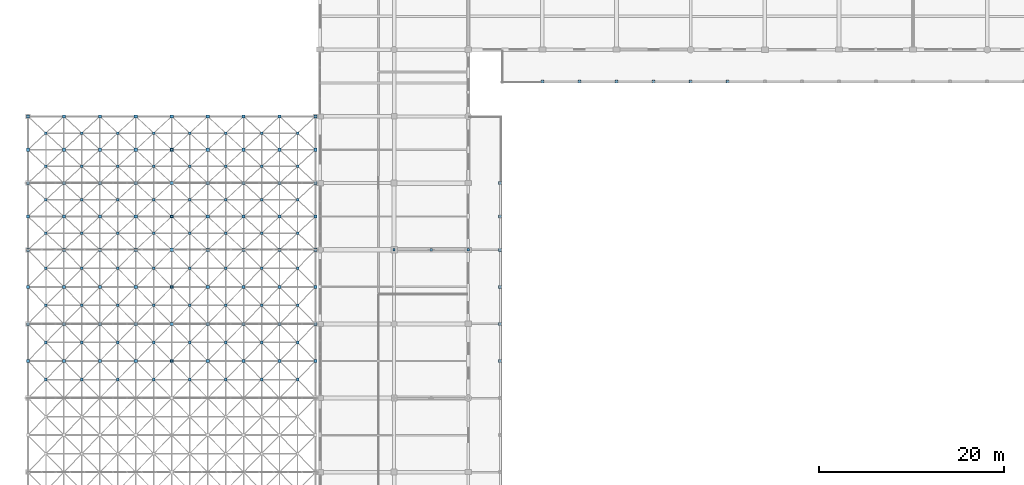
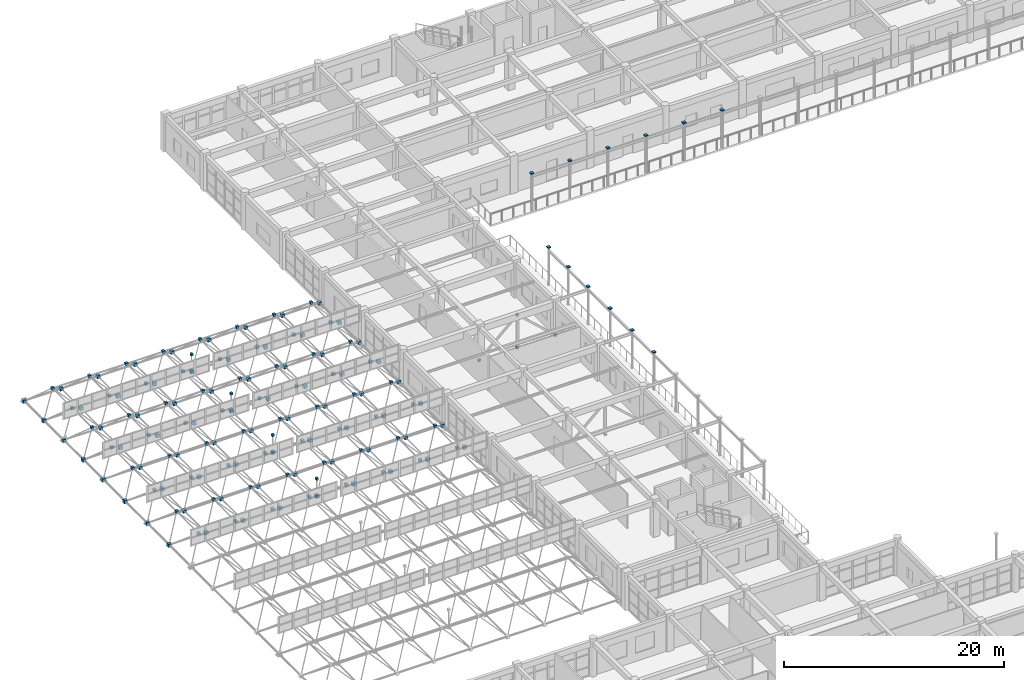
# One storey, part 179 of 195: 160 discrete accessories.
"""IFC4 building model written with IfcOpenShell, lengths in metres."""

from ifc_helpers import new_model, si_unit, direction, frame, origin, origin_2d, place, context, subcontext, project, spatial, rectangle, extrude, material, type_object, element, save


model = new_model("IFC4")

# Units and contexts
model_context = context("Model", 3, precision=1e-05, world=origin(), true_north=direction((0.0, 1.0)))
body_context = subcontext(model_context, "Body", "Model", "MODEL_VIEW")
ifc_project = project(units=[si_unit("LENGTHUNIT", "METRE"), si_unit("AREAUNIT", "SQUARE_METRE"), si_unit("VOLUMEUNIT", "CUBIC_METRE"), si_unit("PLANEANGLEUNIT", "RADIAN"), si_unit("MASSUNIT", "GRAM", prefix="KILO")], contexts=[model_context])

# Site, building, storey
site_placement = place(None, origin())
site = spatial("IfcSite", under=ifc_project, at=site_placement, CompositionType="ELEMENT")
building_placement = place(site_placement, origin())
building = spatial("IfcBuilding", under=site, at=building_placement, Name="Kharva Crest Polytechnic", CompositionType="ELEMENT")
storey_placement = place(building_placement, frame((0.0, 0.0, 9.0)))
storey = spatial("IfcBuildingStorey", under=building, at=storey_placement, Name="L02", CompositionType="ELEMENT", Elevation=9.0)

# Discrete accessories
ifc_material = material(Name="Steel S355", Category="steel")
discrete_accessory_type_1 = type_object("IfcDiscreteAccessoryType", Name="ACC-SHOE-BF240", PredefinedType="SHOE", material=ifc_material)
for number, where, z_axis, x_axis, name in (
    (1, (16.0, 66.800048828125, 0.47998046875), (0.0, 0.0, 1.0), (1.0, 0.0, 0.0), "Space Frame Ridge Strut BOT Shoe 7"),
    (2, (16.0, 66.800048828125, 2.39208984375), (0.0, 0.0, 1.0), (1.0, 0.0, 0.0), "Space Frame Ridge Strut TOP Shoe 7"),
    (3, (16.0, 74.800048828125, 0.47998046875), (0.0, 0.0, 1.0), (1.0, 0.0, 0.0), "Space Frame Ridge Strut BOT Shoe 9"),
    (4, (16.0, 74.800048828125, 2.39208984375), (0.0, 0.0, 1.0), (1.0, 0.0, 0.0), "Space Frame Ridge Strut TOP Shoe 9"),
    (5, (16.0, 82.39990234375, 0.47998046875), (0.0, 0.0, 1.0), (1.0, 0.0, 0.0), "Space Frame Ridge Strut BOT Shoe 11"),
    (6, (16.0, 82.39990234375, 2.39208984375), (0.0, 0.0, 1.0), (1.0, 0.0, 0.0), "Space Frame Ridge Strut TOP Shoe 11"),
    (7, (16.0, 89.60009765625, 0.47998046875), (0.0, 0.0, 1.0), (1.0, 0.0, 0.0), "Space Frame Ridge Strut BOT Shoe 13"),
    (8, (16.0, 89.60009765625, 2.39208984375), (0.0, 0.0, 1.0), (1.0, 0.0, 0.0), "Space Frame Ridge Strut TOP Shoe 13"),
    (9, (40.0, 78.800048828125, -0.1201171875), (0.0, 0.0, 1.0), (1.0, 0.0, 0.0), "L02 Brace Foot Shoe 6A"),
    (10, (48.0, 78.800048828125, -0.1201171875), (0.0, 0.0, 1.0), (1.0, 0.0, 0.0), "L02 Brace Foot Shoe 6B"),
    (11, (44.0, 78.800048828125, 3.52978515625), (0.0, 0.0, 1.0), (1.0, 0.0, 0.0), "L02 Brace TOP Shoe 6"),
    (12, (44.0, 78.800048828125, -0.1201171875), (0.0, 0.0, 1.0), (1.0, 0.0, 0.0), "L02 Brace BOT Shoe 6"),
):
    element("IfcDiscreteAccessory", number, at=place(storey_placement, frame(where, z_axis=z_axis, x_axis=x_axis)), inside=storey, type_object=discrete_accessory_type_1, Name=name, PredefinedType="SHOE", context=body_context, shape_type="SweptSolid", body=[
        extrude(rectangle(XDim=0.239990234375, YDim=0.239990234375, at=origin_2d()), origin(), (0.0, 0.0, 1.0), 0.239990234375),
    ])
discrete_accessory_type_2 = type_object("IfcDiscreteAccessoryType", Name="ACC-SHOE-COL320", PredefinedType="SHOE", material=ifc_material)
for number, where, z_axis, x_axis, name in (
    (13, (51.449951171875, 70.800048828125, 4.139892578125), (0.0, 0.0, 1.0), (1.0, 0.0, 0.0), "L02 Colonnade Cap Shoe VW04"),
    (14, (51.449951171875, 78.800048828125, 4.139892578125), (0.0, 0.0, 1.0), (1.0, 0.0, 0.0), "L02 Colonnade Cap Shoe VW05"),
    (15, (51.449951171875, 86.0, 4.139892578125), (0.0, 0.0, 1.0), (1.0, 0.0, 0.0), "L02 Colonnade Cap Shoe VW06"),
    (16, (56.0, 96.949951171875, 4.139892578125), (0.0, 0.0, 1.0), (1.0, 0.0, 0.0), "L02 Colonnade Cap Shoe VN01"),
    (17, (64.0, 96.949951171875, 4.139892578125), (0.0, 0.0, 1.0), (1.0, 0.0, 0.0), "L02 Colonnade Cap Shoe VN02"),
    (18, (72.0, 96.949951171875, 4.139892578125), (0.0, 0.0, 1.0), (1.0, 0.0, 0.0), "L02 Colonnade Cap Shoe VN03"),
    (19, (51.449951171875, 66.800048828125, 4.139892578125), (0.0, 0.0, 1.0), (1.0, 0.0, 0.0), "L02 Colonnade Mid Cap Shoe VWM03"),
    (20, (51.449951171875, 74.800048828125, 4.139892578125), (0.0, 0.0, 1.0), (1.0, 0.0, 0.0), "L02 Colonnade Mid Cap Shoe VWM04"),
    (21, (51.449951171875, 82.39990234375, 4.139892578125), (0.0, 0.0, 1.0), (1.0, 0.0, 0.0), "L02 Colonnade Mid Cap Shoe VWM05"),
    (22, (60.0, 96.949951171875, 4.139892578125), (0.0, 0.0, 1.0), (1.0, 0.0, 0.0), "L02 Colonnade Mid Cap Shoe VNM01"),
    (23, (68.0, 96.949951171875, 4.139892578125), (0.0, 0.0, 1.0), (1.0, 0.0, 0.0), "L02 Colonnade Mid Cap Shoe VNM02"),
    (24, (76.0, 96.949951171875, 4.139892578125), (0.0, 0.0, 1.0), (1.0, 0.0, 0.0), "L02 Colonnade Mid Cap Shoe VNM03"),
):
    element("IfcDiscreteAccessory", number, at=place(storey_placement, frame(where, z_axis=z_axis, x_axis=x_axis)), inside=storey, type_object=discrete_accessory_type_2, Name=name, PredefinedType="SHOE", context=body_context, shape_type="SweptSolid", body=[
        extrude(rectangle(XDim=0.320068359375, YDim=0.320068359375, at=origin_2d()), origin(), (0.0, 0.0, 1.0), 0.1201171875),
    ])
discrete_accessory_type_3 = type_object("IfcDiscreteAccessoryType", Name="ACC-SHOE-SF280", PredefinedType="SHOE", material=ifc_material)
for number, where, z_axis, x_axis, name in (
    (25, (2.419921875, 64.800048828125, 2.259765625), (0.0, 0.0, 1.0), (1.0, 0.0, 0.0), "Space Frame Top Node Shoe 142"),
    (26, (2.419921875, 68.800048828125, 2.259765625), (0.0, 0.0, 1.0), (1.0, 0.0, 0.0), "Space Frame Top Node Shoe 143"),
    (27, (2.419921875, 72.800048828125, 2.259765625), (0.0, 0.0, 1.0), (1.0, 0.0, 0.0), "Space Frame Top Node Shoe 144"),
    (28, (2.419921875, 76.800048828125, 2.259765625), (0.0, 0.0, 1.0), (1.0, 0.0, 0.0), "Space Frame Top Node Shoe 145"),
    (29, (2.419921875, 80.60009765625, 2.259765625), (0.0, 0.0, 1.0), (1.0, 0.0, 0.0), "Space Frame Top Node Shoe 146"),
    (30, (2.419921875, 84.199951171875, 2.259765625), (0.0, 0.0, 1.0), (1.0, 0.0, 0.0), "Space Frame Top Node Shoe 147"),
    (31, (2.419921875, 87.800048828125, 2.259765625), (0.0, 0.0, 1.0), (1.0, 0.0, 0.0), "Space Frame Top Node Shoe 148"),
    (32, (2.419921875, 91.39990234375, 2.259765625), (0.0, 0.0, 1.0), (1.0, 0.0, 0.0), "Space Frame Top Node Shoe 149"),
    (33, (6.300048828125, 64.800048828125, 2.259765625), (0.0, 0.0, 1.0), (1.0, 0.0, 0.0), "Space Frame Top Node Shoe 156"),
    (34, (6.300048828125, 68.800048828125, 2.259765625), (0.0, 0.0, 1.0), (1.0, 0.0, 0.0), "Space Frame Top Node Shoe 157"),
    (35, (6.300048828125, 72.800048828125, 2.259765625), (0.0, 0.0, 1.0), (1.0, 0.0, 0.0), "Space Frame Top Node Shoe 158"),
    (36, (6.300048828125, 76.800048828125, 2.259765625), (0.0, 0.0, 1.0), (1.0, 0.0, 0.0), "Space Frame Top Node Shoe 159"),
    (37, (6.300048828125, 80.60009765625, 2.259765625), (0.0, 0.0, 1.0), (1.0, 0.0, 0.0), "Space Frame Top Node Shoe 160"),
    (38, (6.300048828125, 84.199951171875, 2.259765625), (0.0, 0.0, 1.0), (1.0, 0.0, 0.0), "Space Frame Top Node Shoe 161"),
    (39, (6.300048828125, 87.800048828125, 2.259765625), (0.0, 0.0, 1.0), (1.0, 0.0, 0.0), "Space Frame Top Node Shoe 162"),
    (40, (6.300048828125, 91.39990234375, 2.259765625), (0.0, 0.0, 1.0), (1.0, 0.0, 0.0), "Space Frame Top Node Shoe 163"),
    (41, (10.179931640625, 64.800048828125, 2.259765625), (0.0, 0.0, 1.0), (1.0, 0.0, 0.0), "Space Frame Top Node Shoe 170"),
    (42, (10.179931640625, 68.800048828125, 2.259765625), (0.0, 0.0, 1.0), (1.0, 0.0, 0.0), "Space Frame Top Node Shoe 171"),
    (43, (10.179931640625, 72.800048828125, 2.259765625), (0.0, 0.0, 1.0), (1.0, 0.0, 0.0), "Space Frame Top Node Shoe 172"),
    (44, (10.179931640625, 76.800048828125, 2.259765625), (0.0, 0.0, 1.0), (1.0, 0.0, 0.0), "Space Frame Top Node Shoe 173"),
    (45, (10.179931640625, 80.60009765625, 2.259765625), (0.0, 0.0, 1.0), (1.0, 0.0, 0.0), "Space Frame Top Node Shoe 174"),
    (46, (10.179931640625, 84.199951171875, 2.259765625), (0.0, 0.0, 1.0), (1.0, 0.0, 0.0), "Space Frame Top Node Shoe 175"),
    (47, (10.179931640625, 87.800048828125, 2.259765625), (0.0, 0.0, 1.0), (1.0, 0.0, 0.0), "Space Frame Top Node Shoe 176"),
    (48, (10.179931640625, 91.39990234375, 2.259765625), (0.0, 0.0, 1.0), (1.0, 0.0, 0.0), "Space Frame Top Node Shoe 177"),
    (49, (14.06005859375, 64.800048828125, 2.259765625), (0.0, 0.0, 1.0), (1.0, 0.0, 0.0), "Space Frame Top Node Shoe 184"),
    (50, (14.06005859375, 68.800048828125, 2.259765625), (0.0, 0.0, 1.0), (1.0, 0.0, 0.0), "Space Frame Top Node Shoe 185"),
    (51, (14.06005859375, 72.800048828125, 2.259765625), (0.0, 0.0, 1.0), (1.0, 0.0, 0.0), "Space Frame Top Node Shoe 186"),
    (52, (14.06005859375, 76.800048828125, 2.259765625), (0.0, 0.0, 1.0), (1.0, 0.0, 0.0), "Space Frame Top Node Shoe 187"),
    (53, (14.06005859375, 80.60009765625, 2.259765625), (0.0, 0.0, 1.0), (1.0, 0.0, 0.0), "Space Frame Top Node Shoe 188"),
    (54, (14.06005859375, 84.199951171875, 2.259765625), (0.0, 0.0, 1.0), (1.0, 0.0, 0.0), "Space Frame Top Node Shoe 189"),
    (55, (14.06005859375, 87.800048828125, 2.259765625), (0.0, 0.0, 1.0), (1.0, 0.0, 0.0), "Space Frame Top Node Shoe 190"),
    (56, (14.06005859375, 91.39990234375, 2.259765625), (0.0, 0.0, 1.0), (1.0, 0.0, 0.0), "Space Frame Top Node Shoe 191"),
    (57, (17.93994140625, 64.800048828125, 2.259765625), (0.0, 0.0, 1.0), (1.0, 0.0, 0.0), "Space Frame Top Node Shoe 198"),
    (58, (17.93994140625, 68.800048828125, 2.259765625), (0.0, 0.0, 1.0), (1.0, 0.0, 0.0), "Space Frame Top Node Shoe 199"),
    (59, (17.93994140625, 72.800048828125, 2.259765625), (0.0, 0.0, 1.0), (1.0, 0.0, 0.0), "Space Frame Top Node Shoe 200"),
    (60, (17.93994140625, 76.800048828125, 2.259765625), (0.0, 0.0, 1.0), (1.0, 0.0, 0.0), "Space Frame Top Node Shoe 201"),
    (61, (17.93994140625, 80.60009765625, 2.259765625), (0.0, 0.0, 1.0), (1.0, 0.0, 0.0), "Space Frame Top Node Shoe 202"),
    (62, (17.93994140625, 84.199951171875, 2.259765625), (0.0, 0.0, 1.0), (1.0, 0.0, 0.0), "Space Frame Top Node Shoe 203"),
    (63, (17.93994140625, 87.800048828125, 2.259765625), (0.0, 0.0, 1.0), (1.0, 0.0, 0.0), "Space Frame Top Node Shoe 204"),
    (64, (17.93994140625, 91.39990234375, 2.259765625), (0.0, 0.0, 1.0), (1.0, 0.0, 0.0), "Space Frame Top Node Shoe 205"),
    (65, (21.820068359375, 64.800048828125, 2.259765625), (0.0, 0.0, 1.0), (1.0, 0.0, 0.0), "Space Frame Top Node Shoe 212"),
    (66, (21.820068359375, 68.800048828125, 2.259765625), (0.0, 0.0, 1.0), (1.0, 0.0, 0.0), "Space Frame Top Node Shoe 213"),
    (67, (21.820068359375, 72.800048828125, 2.259765625), (0.0, 0.0, 1.0), (1.0, 0.0, 0.0), "Space Frame Top Node Shoe 214"),
    (68, (21.820068359375, 76.800048828125, 2.259765625), (0.0, 0.0, 1.0), (1.0, 0.0, 0.0), "Space Frame Top Node Shoe 215"),
    (69, (21.820068359375, 80.60009765625, 2.259765625), (0.0, 0.0, 1.0), (1.0, 0.0, 0.0), "Space Frame Top Node Shoe 216"),
    (70, (21.820068359375, 84.199951171875, 2.259765625), (0.0, 0.0, 1.0), (1.0, 0.0, 0.0), "Space Frame Top Node Shoe 217"),
    (71, (21.820068359375, 87.800048828125, 2.259765625), (0.0, 0.0, 1.0), (1.0, 0.0, 0.0), "Space Frame Top Node Shoe 218"),
    (72, (21.820068359375, 91.39990234375, 2.259765625), (0.0, 0.0, 1.0), (1.0, 0.0, 0.0), "Space Frame Top Node Shoe 219"),
    (73, (25.699951171875, 64.800048828125, 2.259765625), (0.0, 0.0, 1.0), (1.0, 0.0, 0.0), "Space Frame Top Node Shoe 226"),
    (74, (25.699951171875, 68.800048828125, 2.259765625), (0.0, 0.0, 1.0), (1.0, 0.0, 0.0), "Space Frame Top Node Shoe 227"),
    (75, (25.699951171875, 72.800048828125, 2.259765625), (0.0, 0.0, 1.0), (1.0, 0.0, 0.0), "Space Frame Top Node Shoe 228"),
    (76, (25.699951171875, 76.800048828125, 2.259765625), (0.0, 0.0, 1.0), (1.0, 0.0, 0.0), "Space Frame Top Node Shoe 229"),
    (77, (25.699951171875, 80.60009765625, 2.259765625), (0.0, 0.0, 1.0), (1.0, 0.0, 0.0), "Space Frame Top Node Shoe 230"),
    (78, (25.699951171875, 84.199951171875, 2.259765625), (0.0, 0.0, 1.0), (1.0, 0.0, 0.0), "Space Frame Top Node Shoe 231"),
    (79, (25.699951171875, 87.800048828125, 2.259765625), (0.0, 0.0, 1.0), (1.0, 0.0, 0.0), "Space Frame Top Node Shoe 232"),
    (80, (25.699951171875, 91.39990234375, 2.259765625), (0.0, 0.0, 1.0), (1.0, 0.0, 0.0), "Space Frame Top Node Shoe 233"),
    (81, (29.580078125, 64.800048828125, 2.259765625), (0.0, 0.0, 1.0), (1.0, 0.0, 0.0), "Space Frame Top Node Shoe 240"),
    (82, (29.580078125, 68.800048828125, 2.259765625), (0.0, 0.0, 1.0), (1.0, 0.0, 0.0), "Space Frame Top Node Shoe 241"),
    (83, (29.580078125, 72.800048828125, 2.259765625), (0.0, 0.0, 1.0), (1.0, 0.0, 0.0), "Space Frame Top Node Shoe 242"),
    (84, (29.580078125, 76.800048828125, 2.259765625), (0.0, 0.0, 1.0), (1.0, 0.0, 0.0), "Space Frame Top Node Shoe 243"),
    (85, (29.580078125, 80.60009765625, 2.259765625), (0.0, 0.0, 1.0), (1.0, 0.0, 0.0), "Space Frame Top Node Shoe 244"),
    (86, (29.580078125, 84.199951171875, 2.259765625), (0.0, 0.0, 1.0), (1.0, 0.0, 0.0), "Space Frame Top Node Shoe 245"),
    (87, (29.580078125, 87.800048828125, 2.259765625), (0.0, 0.0, 1.0), (1.0, 0.0, 0.0), "Space Frame Top Node Shoe 246"),
    (88, (29.580078125, 91.39990234375, 2.259765625), (0.0, 0.0, 1.0), (1.0, 0.0, 0.0), "Space Frame Top Node Shoe 247"),
):
    element("IfcDiscreteAccessory", number, at=place(storey_placement, frame(where, z_axis=z_axis, x_axis=x_axis)), inside=storey, type_object=discrete_accessory_type_3, Name=name, PredefinedType="SHOE", context=body_context, shape_type="SweptSolid", body=[
        extrude(rectangle(XDim=0.280029296875, YDim=0.280029296875, at=origin_2d()), origin(), (0.0, 0.0, 1.0), 0.280029296875),
    ])
discrete_accessory_type_4 = type_object("IfcDiscreteAccessoryType", Name="ACC-SHOE-SF340", PredefinedType="SHOE", material=ifc_material)
for number, where, z_axis, x_axis, name in (
    (89, (0.47998046875, 66.800048828125, 0.43017578125), (0.0, 0.0, 1.0), (1.0, 0.0, 0.0), "Space Frame Bottom Node Shoe 8"),
    (90, (0.47998046875, 70.800048828125, 0.43017578125), (0.0, 0.0, 1.0), (1.0, 0.0, 0.0), "Space Frame Bottom Node Shoe 9"),
    (91, (0.47998046875, 74.800048828125, 0.43017578125), (0.0, 0.0, 1.0), (1.0, 0.0, 0.0), "Space Frame Bottom Node Shoe 10"),
    (92, (0.47998046875, 78.800048828125, 0.43017578125), (0.0, 0.0, 1.0), (1.0, 0.0, 0.0), "Space Frame Bottom Node Shoe 11"),
    (93, (0.47998046875, 82.39990234375, 0.43017578125), (0.0, 0.0, 1.0), (1.0, 0.0, 0.0), "Space Frame Bottom Node Shoe 12"),
    (94, (0.47998046875, 86.0, 0.43017578125), (0.0, 0.0, 1.0), (1.0, 0.0, 0.0), "Space Frame Bottom Node Shoe 13"),
    (95, (0.47998046875, 89.60009765625, 0.43017578125), (0.0, 0.0, 1.0), (1.0, 0.0, 0.0), "Space Frame Bottom Node Shoe 14"),
    (96, (0.47998046875, 93.199951171875, 0.43017578125), (0.0, 0.0, 1.0), (1.0, 0.0, 0.0), "Space Frame Bottom Node Shoe 15"),
    (97, (4.360107421875, 66.800048828125, 0.43017578125), (0.0, 0.0, 1.0), (1.0, 0.0, 0.0), "Space Frame Bottom Node Shoe 23"),
    (98, (4.360107421875, 70.800048828125, 0.43017578125), (0.0, 0.0, 1.0), (1.0, 0.0, 0.0), "Space Frame Bottom Node Shoe 24"),
    (99, (4.360107421875, 74.800048828125, 0.43017578125), (0.0, 0.0, 1.0), (1.0, 0.0, 0.0), "Space Frame Bottom Node Shoe 25"),
    (100, (4.360107421875, 78.800048828125, 0.43017578125), (0.0, 0.0, 1.0), (1.0, 0.0, 0.0), "Space Frame Bottom Node Shoe 26"),
    (101, (4.360107421875, 82.39990234375, 0.43017578125), (0.0, 0.0, 1.0), (1.0, 0.0, 0.0), "Space Frame Bottom Node Shoe 27"),
    (102, (4.360107421875, 86.0, 0.43017578125), (0.0, 0.0, 1.0), (1.0, 0.0, 0.0), "Space Frame Bottom Node Shoe 28"),
    (103, (4.360107421875, 89.60009765625, 0.43017578125), (0.0, 0.0, 1.0), (1.0, 0.0, 0.0), "Space Frame Bottom Node Shoe 29"),
    (104, (4.360107421875, 93.199951171875, 0.43017578125), (0.0, 0.0, 1.0), (1.0, 0.0, 0.0), "Space Frame Bottom Node Shoe 30"),
    (105, (8.239990234375, 66.800048828125, 0.43017578125), (0.0, 0.0, 1.0), (1.0, 0.0, 0.0), "Space Frame Bottom Node Shoe 38"),
    (106, (8.239990234375, 70.800048828125, 0.43017578125), (0.0, 0.0, 1.0), (1.0, 0.0, 0.0), "Space Frame Bottom Node Shoe 39"),
    (107, (8.239990234375, 74.800048828125, 0.43017578125), (0.0, 0.0, 1.0), (1.0, 0.0, 0.0), "Space Frame Bottom Node Shoe 40"),
    (108, (8.239990234375, 78.800048828125, 0.43017578125), (0.0, 0.0, 1.0), (1.0, 0.0, 0.0), "Space Frame Bottom Node Shoe 41"),
    (109, (8.239990234375, 82.39990234375, 0.43017578125), (0.0, 0.0, 1.0), (1.0, 0.0, 0.0), "Space Frame Bottom Node Shoe 42"),
    (110, (8.239990234375, 86.0, 0.43017578125), (0.0, 0.0, 1.0), (1.0, 0.0, 0.0), "Space Frame Bottom Node Shoe 43"),
    (111, (8.239990234375, 89.60009765625, 0.43017578125), (0.0, 0.0, 1.0), (1.0, 0.0, 0.0), "Space Frame Bottom Node Shoe 44"),
    (112, (8.239990234375, 93.199951171875, 0.43017578125), (0.0, 0.0, 1.0), (1.0, 0.0, 0.0), "Space Frame Bottom Node Shoe 45"),
    (113, (12.1201171875, 66.800048828125, 0.43017578125), (0.0, 0.0, 1.0), (1.0, 0.0, 0.0), "Space Frame Bottom Node Shoe 53"),
    (114, (12.1201171875, 70.800048828125, 0.43017578125), (0.0, 0.0, 1.0), (1.0, 0.0, 0.0), "Space Frame Bottom Node Shoe 54"),
    (115, (12.1201171875, 74.800048828125, 0.43017578125), (0.0, 0.0, 1.0), (1.0, 0.0, 0.0), "Space Frame Bottom Node Shoe 55"),
    (116, (12.1201171875, 78.800048828125, 0.43017578125), (0.0, 0.0, 1.0), (1.0, 0.0, 0.0), "Space Frame Bottom Node Shoe 56"),
    (117, (12.1201171875, 82.39990234375, 0.43017578125), (0.0, 0.0, 1.0), (1.0, 0.0, 0.0), "Space Frame Bottom Node Shoe 57"),
    (118, (12.1201171875, 86.0, 0.43017578125), (0.0, 0.0, 1.0), (1.0, 0.0, 0.0), "Space Frame Bottom Node Shoe 58"),
    (119, (12.1201171875, 89.60009765625, 0.43017578125), (0.0, 0.0, 1.0), (1.0, 0.0, 0.0), "Space Frame Bottom Node Shoe 59"),
    (120, (12.1201171875, 93.199951171875, 0.43017578125), (0.0, 0.0, 1.0), (1.0, 0.0, 0.0), "Space Frame Bottom Node Shoe 60"),
    (121, (16.0, 66.800048828125, 0.43017578125), (0.0, 0.0, 1.0), (1.0, 0.0, 0.0), "Space Frame Bottom Node Shoe 68"),
    (122, (16.0, 70.800048828125, 0.43017578125), (0.0, 0.0, 1.0), (1.0, 0.0, 0.0), "Space Frame Bottom Node Shoe 69"),
    (123, (16.0, 74.800048828125, 0.43017578125), (0.0, 0.0, 1.0), (1.0, 0.0, 0.0), "Space Frame Bottom Node Shoe 70"),
    (124, (16.0, 78.800048828125, 0.43017578125), (0.0, 0.0, 1.0), (1.0, 0.0, 0.0), "Space Frame Bottom Node Shoe 71"),
    (125, (16.0, 82.39990234375, 0.43017578125), (0.0, 0.0, 1.0), (1.0, 0.0, 0.0), "Space Frame Bottom Node Shoe 72"),
    (126, (16.0, 86.0, 0.43017578125), (0.0, 0.0, 1.0), (1.0, 0.0, 0.0), "Space Frame Bottom Node Shoe 73"),
    (127, (16.0, 89.60009765625, 0.43017578125), (0.0, 0.0, 1.0), (1.0, 0.0, 0.0), "Space Frame Bottom Node Shoe 74"),
    (128, (16.0, 93.199951171875, 0.43017578125), (0.0, 0.0, 1.0), (1.0, 0.0, 0.0), "Space Frame Bottom Node Shoe 75"),
    (129, (19.8798828125, 66.800048828125, 0.43017578125), (0.0, 0.0, 1.0), (1.0, 0.0, 0.0), "Space Frame Bottom Node Shoe 83"),
    (130, (19.8798828125, 70.800048828125, 0.43017578125), (0.0, 0.0, 1.0), (1.0, 0.0, 0.0), "Space Frame Bottom Node Shoe 84"),
    (131, (19.8798828125, 74.800048828125, 0.43017578125), (0.0, 0.0, 1.0), (1.0, 0.0, 0.0), "Space Frame Bottom Node Shoe 85"),
    (132, (19.8798828125, 78.800048828125, 0.43017578125), (0.0, 0.0, 1.0), (1.0, 0.0, 0.0), "Space Frame Bottom Node Shoe 86"),
    (133, (19.8798828125, 82.39990234375, 0.43017578125), (0.0, 0.0, 1.0), (1.0, 0.0, 0.0), "Space Frame Bottom Node Shoe 87"),
    (134, (19.8798828125, 86.0, 0.43017578125), (0.0, 0.0, 1.0), (1.0, 0.0, 0.0), "Space Frame Bottom Node Shoe 88"),
    (135, (19.8798828125, 89.60009765625, 0.43017578125), (0.0, 0.0, 1.0), (1.0, 0.0, 0.0), "Space Frame Bottom Node Shoe 89"),
    (136, (19.8798828125, 93.199951171875, 0.43017578125), (0.0, 0.0, 1.0), (1.0, 0.0, 0.0), "Space Frame Bottom Node Shoe 90"),
    (137, (23.760009765625, 66.800048828125, 0.43017578125), (0.0, 0.0, 1.0), (1.0, 0.0, 0.0), "Space Frame Bottom Node Shoe 98"),
    (138, (23.760009765625, 70.800048828125, 0.43017578125), (0.0, 0.0, 1.0), (1.0, 0.0, 0.0), "Space Frame Bottom Node Shoe 99"),
    (139, (23.760009765625, 74.800048828125, 0.43017578125), (0.0, 0.0, 1.0), (1.0, 0.0, 0.0), "Space Frame Bottom Node Shoe 100"),
    (140, (23.760009765625, 78.800048828125, 0.43017578125), (0.0, 0.0, 1.0), (1.0, 0.0, 0.0), "Space Frame Bottom Node Shoe 101"),
    (141, (23.760009765625, 82.39990234375, 0.43017578125), (0.0, 0.0, 1.0), (1.0, 0.0, 0.0), "Space Frame Bottom Node Shoe 102"),
    (142, (23.760009765625, 86.0, 0.43017578125), (0.0, 0.0, 1.0), (1.0, 0.0, 0.0), "Space Frame Bottom Node Shoe 103"),
    (143, (23.760009765625, 89.60009765625, 0.43017578125), (0.0, 0.0, 1.0), (1.0, 0.0, 0.0), "Space Frame Bottom Node Shoe 104"),
    (144, (23.760009765625, 93.199951171875, 0.43017578125), (0.0, 0.0, 1.0), (1.0, 0.0, 0.0), "Space Frame Bottom Node Shoe 105"),
    (145, (27.639892578125, 66.800048828125, 0.43017578125), (0.0, 0.0, 1.0), (1.0, 0.0, 0.0), "Space Frame Bottom Node Shoe 113"),
    (146, (27.639892578125, 70.800048828125, 0.43017578125), (0.0, 0.0, 1.0), (1.0, 0.0, 0.0), "Space Frame Bottom Node Shoe 114"),
    (147, (27.639892578125, 74.800048828125, 0.43017578125), (0.0, 0.0, 1.0), (1.0, 0.0, 0.0), "Space Frame Bottom Node Shoe 115"),
    (148, (27.639892578125, 78.800048828125, 0.43017578125), (0.0, 0.0, 1.0), (1.0, 0.0, 0.0), "Space Frame Bottom Node Shoe 116"),
    (149, (27.639892578125, 82.39990234375, 0.43017578125), (0.0, 0.0, 1.0), (1.0, 0.0, 0.0), "Space Frame Bottom Node Shoe 117"),
    (150, (27.639892578125, 86.0, 0.43017578125), (0.0, 0.0, 1.0), (1.0, 0.0, 0.0), "Space Frame Bottom Node Shoe 118"),
    (151, (27.639892578125, 89.60009765625, 0.43017578125), (0.0, 0.0, 1.0), (1.0, 0.0, 0.0), "Space Frame Bottom Node Shoe 119"),
    (152, (27.639892578125, 93.199951171875, 0.43017578125), (0.0, 0.0, 1.0), (1.0, 0.0, 0.0), "Space Frame Bottom Node Shoe 120"),
    (153, (31.52001953125, 66.800048828125, 0.43017578125), (0.0, 0.0, 1.0), (1.0, 0.0, 0.0), "Space Frame Bottom Node Shoe 128"),
    (154, (31.52001953125, 70.800048828125, 0.43017578125), (0.0, 0.0, 1.0), (1.0, 0.0, 0.0), "Space Frame Bottom Node Shoe 129"),
    (155, (31.52001953125, 74.800048828125, 0.43017578125), (0.0, 0.0, 1.0), (1.0, 0.0, 0.0), "Space Frame Bottom Node Shoe 130"),
    (156, (31.52001953125, 78.800048828125, 0.43017578125), (0.0, 0.0, 1.0), (1.0, 0.0, 0.0), "Space Frame Bottom Node Shoe 131"),
    (157, (31.52001953125, 82.39990234375, 0.43017578125), (0.0, 0.0, 1.0), (1.0, 0.0, 0.0), "Space Frame Bottom Node Shoe 132"),
    (158, (31.52001953125, 86.0, 0.43017578125), (0.0, 0.0, 1.0), (1.0, 0.0, 0.0), "Space Frame Bottom Node Shoe 133"),
    (159, (31.52001953125, 89.60009765625, 0.43017578125), (0.0, 0.0, 1.0), (1.0, 0.0, 0.0), "Space Frame Bottom Node Shoe 134"),
    (160, (31.52001953125, 93.199951171875, 0.43017578125), (0.0, 0.0, 1.0), (1.0, 0.0, 0.0), "Space Frame Bottom Node Shoe 135"),
):
    element("IfcDiscreteAccessory", number, at=place(storey_placement, frame(where, z_axis=z_axis, x_axis=x_axis)), inside=storey, type_object=discrete_accessory_type_4, Name=name, PredefinedType="SHOE", context=body_context, shape_type="SweptSolid", body=[
        extrude(rectangle(XDim=0.340087890625, YDim=0.340087890625, at=origin_2d()), origin(), (0.0, 0.0, 1.0), 0.340087890625),
    ])

save(model, "model.ifc")
